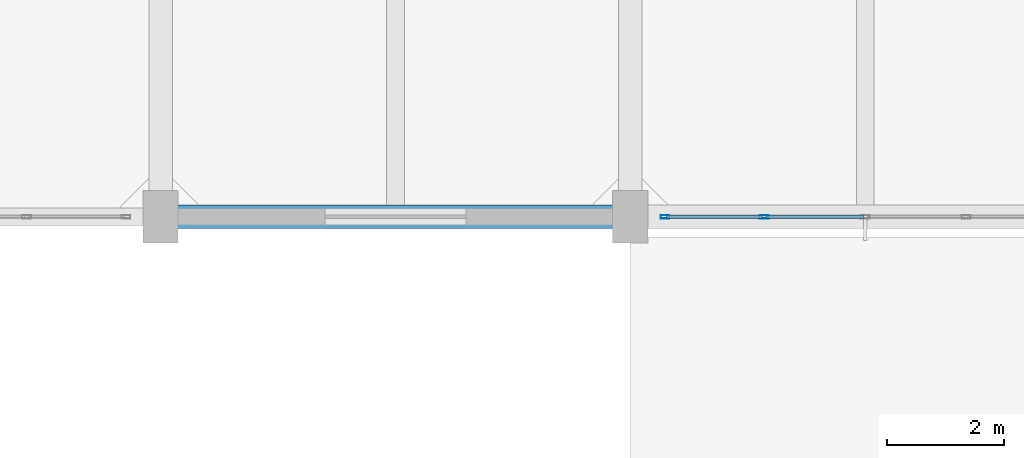
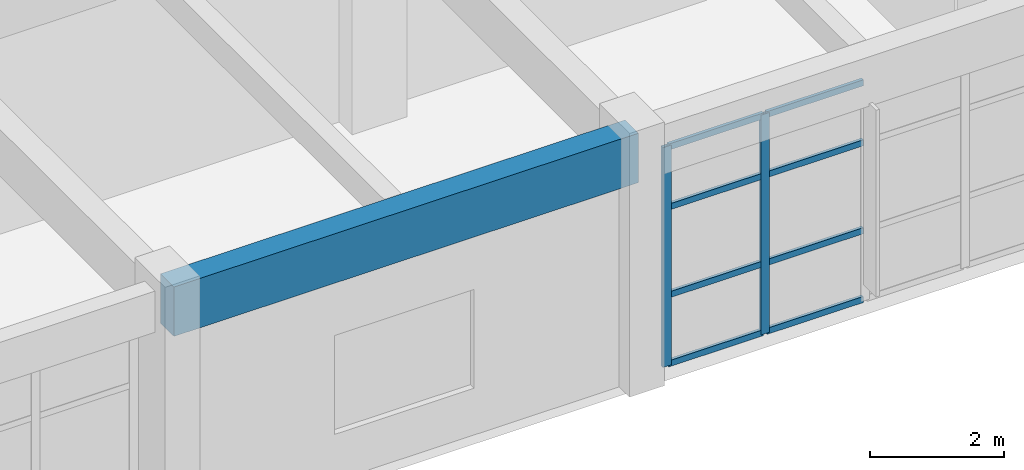
# One storey, part 23 of 63: 10 members, 1 beam, 1 element without a shape of its own.
"""IFC4 building model written with IfcOpenShell, lengths in metres."""

import ifcopenshell
import ifcopenshell.guid

model = None  # the IFC model being written
_history = None  # IfcOwnerHistory: only IFC2X3 demands one
_inside = {}  # id of a spatial element -> (the spatial element, [elements in it])
_under = {}  # id of a project, library or spatial element -> (it, [spatial elements below it])
_declared = {}  # id of a project -> (the project, [libraries it declares])
_typed = {}  # id of a type object -> (the type object, [elements of that type])
_made_of = {}  # id of a material, layer set ... -> (it, [elements and type objects made of it])


def new_model(schema):
    """Start an empty IFC model of exactly this schema.

    Asked for "IFC4X3", IfcOpenShell would pick the latest addendum, in which some entities
    have other attributes; the version numbers below select the first issue.
    IFC2X3 requires an IfcOwnerHistory on every rooted entity: one is made here for all.
    """
    global model, _history
    if schema == "IFC4X3":
        model = ifcopenshell.file(schema_version=(4, 3, 0, 0))
    else:
        model = ifcopenshell.file(schema=schema)
    _inside.clear()
    _under.clear()
    _declared.clear()
    _typed.clear()
    _made_of.clear()
    _history = None
    if model.schema == "IFC2X3":
        org = make("IfcOrganization", Name="unknown")
        user = make(
            "IfcPersonAndOrganization",
            ThePerson=make("IfcPerson", FamilyName="unknown"),
            TheOrganization=org,
        )
        app = make(
            "IfcApplication",
            ApplicationDeveloper=org,
            Version="unknown",
            ApplicationFullName="unknown",
            ApplicationIdentifier="unknown",
        )
        _history = make(
            "IfcOwnerHistory",
            OwningUser=user,
            OwningApplication=app,
            ChangeAction="ADDED",
            CreationDate=0,
        )
    return model


def make(cls, **values):
    """One entity of the class cls with the attributes given. An attribute that is None is left unset."""
    return model.create_entity(
        cls, **{name: value for name, value in values.items() if value is not None}
    )


def rooted(cls, **values):
    """An entity with a GlobalId (a new one), such as an element, a storey or a relation."""
    return make(cls, GlobalId=ifcopenshell.guid.new(), OwnerHistory=_history, **values)


def si_unit(unit_type, name, prefix=None):
    """IfcSIUnit, for example si_unit("LENGTHUNIT", "METRE", prefix="MILLI")."""
    return make("IfcSIUnit", UnitType=unit_type, Prefix=prefix, Name=name)


def assignment(units):
    """IfcUnitAssignment: the units of a project."""
    return None if units is None else make("IfcUnitAssignment", Units=units)


def point(xyz):
    """IfcCartesianPoint."""
    return None if xyz is None else make("IfcCartesianPoint", Coordinates=xyz)


def direction(xyz):
    """IfcDirection."""
    return None if xyz is None else make("IfcDirection", DirectionRatios=xyz)


def frame(location, z_axis=None, x_axis=None):
    """IfcAxis2Placement3D, a coordinate frame: its origin and axes. An axis left out is left unset."""
    return make(
        "IfcAxis2Placement3D",
        Location=point(location),
        Axis=direction(z_axis),
        RefDirection=direction(x_axis),
    )


def frame_2d(location, x_axis=None):
    """IfcAxis2Placement2D, a coordinate frame in the plane: its origin and x axis."""
    return make(
        "IfcAxis2Placement2D", Location=point(location), RefDirection=direction(x_axis)
    )


def origin():
    """The frame at (0, 0, 0) with its axes left unset."""
    return frame((0.0, 0.0, 0.0))


def origin_2d():
    """The frame at (0, 0) in the plane with its x axis left unset."""
    return frame_2d((0.0, 0.0))


def place(relative_to, where):
    """IfcLocalPlacement: puts the frame where relative to a parent placement (None: the world)."""
    return make(
        "IfcLocalPlacement", PlacementRelTo=relative_to, RelativePlacement=where
    )


def context(
    kind, dimensions, precision=None, world=None, true_north=None, identifier=None
):
    """IfcGeometricRepresentationContext, for example the 3D "Model" context."""
    return make(
        "IfcGeometricRepresentationContext",
        ContextIdentifier=identifier,
        ContextType=kind,
        CoordinateSpaceDimension=dimensions,
        Precision=precision,
        WorldCoordinateSystem=world,
        TrueNorth=true_north,
    )


def subcontext(parent, identifier, kind, view, scale=None):
    """IfcGeometricRepresentationSubContext, for example "Body" below "Model"."""
    return make(
        "IfcGeometricRepresentationSubContext",
        ContextIdentifier=identifier,
        ContextType=kind,
        ParentContext=parent,
        TargetScale=scale,
        TargetView=view,
    )


def project(units=None, contexts=None):
    """IfcProject with its units and contexts."""
    return rooted(
        "IfcProject",
        Name="project",
        RepresentationContexts=contexts,
        UnitsInContext=assignment(units),
    )


def spatial(cls, under=None, at=None, **own):
    """A site, building, storey or space (cls), placed at a placement, below another one or the project."""
    s = rooted(cls, ObjectPlacement=at, **own)
    if under is not None:
        _under.setdefault(under.id(), (under, []))[1].append(s)
    return s


def profile(cls, at=None, kind="AREA", **sizes):
    """A parametric profile (cls). Its sizes go by their IFC names, for example OverallWidth=200.0."""
    return make(cls, ProfileType=kind, Position=at, **sizes)


def rectangle(**sizes):
    """IfcRectangleProfileDef."""
    return profile("IfcRectangleProfileDef", **sizes)


def hollow_rectangle(**sizes):
    """IfcRectangleHollowProfileDef."""
    return profile("IfcRectangleHollowProfileDef", **sizes)


def extrude(swept, where, along, depth):
    """IfcExtrudedAreaSolid: the profile swept, set in the frame where, extruded along a direction by depth."""
    return make(
        "IfcExtrudedAreaSolid",
        SweptArea=swept,
        Position=where,
        ExtrudedDirection=direction(along),
        Depth=depth,
    )


def shape(context_of_items, identifier, shape_type, items):
    """IfcShapeRepresentation: the items that make up one representation, for example the "Body"."""
    return make(
        "IfcShapeRepresentation",
        ContextOfItems=context_of_items,
        RepresentationIdentifier=identifier,
        RepresentationType=shape_type,
        Items=items,
    )


def material(Name=None, Category=None):
    """IfcMaterial."""
    return make("IfcMaterial", Name=Name, Category=Category)


def layer(
    of_material, thickness, ventilated=None, Name=None, Category=None, Priority=None
):
    """IfcMaterialLayer: one layer of a wall or slab, of a material (None: an air gap)."""
    return make(
        "IfcMaterialLayer",
        Material=of_material,
        LayerThickness=thickness,
        IsVentilated=ventilated,
        Name=Name,
        Category=Category,
        Priority=Priority,
    )


def layer_set(layers, Name=None):
    """IfcMaterialLayerSet."""
    return make("IfcMaterialLayerSet", MaterialLayers=layers, LayerSetName=Name)


def material_profile(
    of_material, cross_section, Name=None, Category=None, Priority=None
):
    """IfcMaterialProfile: a cross section and its material."""
    return make(
        "IfcMaterialProfile",
        Name=Name,
        Material=of_material,
        Profile=cross_section,
        Priority=Priority,
        Category=Category,
    )


def profile_set(profiles, Name=None, composite=None):
    """IfcMaterialProfileSet."""
    return make(
        "IfcMaterialProfileSet",
        Name=Name,
        MaterialProfiles=profiles,
        CompositeProfile=composite,
    )


def made_of(thing, what):
    """Note that an element or type object is made of a material, layer set ...; save() writes the relation."""
    if what is not None:
        _made_of.setdefault(what.id(), (what, []))[1].append(thing)
    return thing


def type_object(cls, material=None, **own):
    """A type object (cls), such as IfcWallType, which elements share."""
    return made_of(rooted(cls, **own), material)


def element(
    cls,
    number,
    at=None,
    inside=None,
    cuts=None,
    type_object=None,
    material=None,
    context=None,
    identifier="Body",
    shape_type=None,
    held_by="IfcProductDefinitionShape",
    body=None,
    shapes=None,
    **own,
):
    """One element of the class cls, such as IfcWall. Its Tag is "e" and its number.

    at: its placement. inside: the storey or other place that contains it. cuts: it is an
    opening in that element (IfcRelVoidsElement). A single representation is given by context,
    identifier, shape_type and body (its items); several are given by shapes. held_by: the class
    of the entity that holds the representations. save() writes the other relations.
    """
    e = rooted(cls, Tag="e%d" % number, ObjectPlacement=at, **own)
    if body is not None:
        shapes = [shape(context, identifier, shape_type, body)]
    if shapes is not None:
        e.Representation = make(held_by, Representations=shapes)
    if inside is not None:
        _inside.setdefault(inside.id(), (inside, []))[1].append(e)
    if cuts is not None:
        rooted(
            "IfcRelVoidsElement", RelatingBuildingElement=cuts, RelatedOpeningElement=e
        )
    if type_object is not None:
        _typed.setdefault(type_object.id(), (type_object, []))[1].append(e)
    return made_of(e, material)


def aggregate(whole, parts):
    """IfcRelAggregates: a whole, such as a stair, and the parts it consists of."""
    return rooted("IfcRelAggregates", RelatingObject=whole, RelatedObjects=parts)


def save(model, path):
    """Write the relations noted so far, then the file.

    IfcRelAggregates (storeys below a building ...), IfcRelContainedInSpatialStructure (elements
    in a storey), IfcRelDefinesByType, IfcRelAssociatesMaterial and IfcRelDeclares: one each for
    every whole, place, type object, material and project.
    """
    for whole, parts in _under.values():
        aggregate(whole, parts)
    for where, things in _inside.values():
        rooted(
            "IfcRelContainedInSpatialStructure",
            RelatedElements=things,
            RelatingStructure=where,
        )
    for kind, things in _typed.values():
        rooted("IfcRelDefinesByType", RelatedObjects=things, RelatingType=kind)
    for what, things in _made_of.values():
        rooted("IfcRelAssociatesMaterial", RelatedObjects=things, RelatingMaterial=what)
    for by, libraries in _declared.values():
        rooted("IfcRelDeclares", RelatingContext=by, RelatedDefinitions=libraries)
    model.write(path)


model = new_model("IFC4")

# Units and contexts
model_context = context("Model", 3, precision=1e-05, world=origin(), true_north=direction((0.0, 1.0)))
body_context = subcontext(model_context, "Body", "Model", "MODEL_VIEW")
ifc_project = project(units=[si_unit("LENGTHUNIT", "METRE"), si_unit("AREAUNIT", "SQUARE_METRE"), si_unit("VOLUMEUNIT", "CUBIC_METRE"), si_unit("PLANEANGLEUNIT", "RADIAN"), si_unit("MASSUNIT", "GRAM", prefix="KILO")], contexts=[model_context])

# Site, building, storey
site_placement = place(None, origin())
site = spatial("IfcSite", under=ifc_project, at=site_placement, CompositionType="ELEMENT")
building_placement = place(site_placement, origin())
building = spatial("IfcBuilding", under=site, at=building_placement, Name="Canggui Botanical Conservatory", CompositionType="ELEMENT")
storey_placement = place(building_placement, frame((0.0, 0.0, 10.199951171875)))
storey = spatial("IfcBuildingStorey", under=building, at=storey_placement, Name="L03", CompositionType="ELEMENT", Elevation=10.199951171875)

# Beam
ifc_material_1 = material(Name="Concrete C35", Category="concrete")
ifc_material_profile_1 = material_profile(ifc_material_1, rectangle(XDim=0.39990234375, YDim=0.89990234375, at=origin_2d()), Name="RB 400x900")
ifc_profile_set_1 = profile_set([ifc_material_profile_1], Name="Concrete C35")
beam_type = type_object("IfcBeamType", Name="BM-KL07", PredefinedType="BEAM", material=ifc_profile_set_1)
beam_placement = place(storey_placement, frame((146.0, 26.0, 4.10009765625), z_axis=(1.0, 0.0, 0.0), x_axis=(0.0, 1.0, 0.0)))
element("IfcBeam", 1, at=beam_placement, inside=storey, type_object=beam_type, Name="Frame Girder L03 Y26-2", PredefinedType="BEAM", context=body_context, shape_type="SweptSolid", body=[
    extrude(rectangle(XDim=0.39990234375, YDim=0.89990234375, at=origin_2d()), origin(), (0.0, 0.0, 1.0), 8.0),
])

# Curtain wall, members
ifc_material_2 = material(Name="Thermally Broken Aluminium", Category="aluminium")
ifc_layer = layer(ifc_material_2, 0.14990234375, Name="Thermally Broken Aluminium", Category="aluminium")
ifc_layer_set = layer_set([ifc_layer], Name="Thermally Broken Aluminium")
curtain_wall_type = type_object("IfcCurtainWallType", Name="CW-UNIT-C", PredefinedType="USERDEFINED", material=ifc_layer_set)
curtain_wall_placement = place(storey_placement, origin())
curtain_wall = element("IfcCurtainWall", 2, at=curtain_wall_placement, inside=storey, type_object=curtain_wall_type, Name="Facade Curtain Wall CW-TWR-L03-03", ObjectType="UNITISED CURTAIN WALL", PredefinedType="USERDEFINED")
ifc_material_profile_2 = material_profile(ifc_material_2, hollow_rectangle(XDim=0.06005859375, YDim=0.14990234375, WallThickness=0.00341796875, at=origin_2d()), Name="CWM 60x150x3.5")
ifc_profile_set_2 = profile_set([ifc_material_profile_2], Name="Thermally Broken Aluminium")
member_type_1 = type_object("IfcMemberType", Name="CWM-03", PredefinedType="MULLION", material=ifc_profile_set_2)
member_1_placement = place(storey_placement, frame((156.280029296875, 26.0, 0.0), z_axis=(0.0, 0.0, 1.0), x_axis=(0.0, -1.0, 0.0)))
member_1 = element("IfcMember", 3, at=member_1_placement, type_object=member_type_1, Name="CW-03 mullion 4", PredefinedType="MULLION", context=body_context, shape_type="SweptSolid", body=[
    extrude(hollow_rectangle(XDim=0.06005859375, YDim=0.14990234375, WallThickness=0.00341796875, at=origin_2d()), origin(), (0.0, 0.0, 1.0), 4.0),
])
member_2_placement = place(storey_placement, frame((154.590087890625, 26.0, 0.0), z_axis=(0.0, 0.0, 1.0), x_axis=(0.0, -1.0, 0.0)))
member_2 = element("IfcMember", 4, at=member_2_placement, type_object=member_type_1, Name="CW-03 mullion 5", PredefinedType="MULLION", context=body_context, shape_type="SweptSolid", body=[
    extrude(hollow_rectangle(XDim=0.06005859375, YDim=0.14990234375, WallThickness=0.00341796875, at=origin_2d()), origin(), (0.0, 0.0, 1.0), 4.0),
])
ifc_material_profile_3 = material_profile(ifc_material_2, hollow_rectangle(XDim=0.054931640625, YDim=0.110107421875, WallThickness=0.0029296875, at=origin_2d()), Name="CWT 55x110x3")
ifc_profile_set_3 = profile_set([ifc_material_profile_3], Name="Thermally Broken Aluminium")
member_type_2 = type_object("IfcMemberType", Name="CWT-03", PredefinedType="USERDEFINED", material=ifc_profile_set_3)
member_3_placement = place(storey_placement, frame((157.969970703125, 26.0, 0.027587890625), z_axis=(-1.0, 0.0, 0.0), x_axis=(0.0, -1.0, 0.0)))
member_3 = element("IfcMember", 5, at=member_3_placement, type_object=member_type_2, Name="CW-03 transom 3.1", ObjectType="TRANSOM", PredefinedType="USERDEFINED", context=body_context, shape_type="SweptSolid", body=[
    extrude(hollow_rectangle(XDim=0.054931640625, YDim=0.110107421875, WallThickness=0.0029296875, at=origin_2d()), origin(), (0.0, 0.0, 1.0), 1.659912109375),
])
member_4_placement = place(storey_placement, frame((157.969970703125, 26.0, 1.280029296875), z_axis=(-1.0, 0.0, 0.0), x_axis=(0.0, -1.0, 0.0)))
member_4 = element("IfcMember", 6, at=member_4_placement, type_object=member_type_2, Name="CW-03 transom 3.2", ObjectType="TRANSOM", PredefinedType="USERDEFINED", context=body_context, shape_type="SweptSolid", body=[
    extrude(hollow_rectangle(XDim=0.054931640625, YDim=0.110107421875, WallThickness=0.0029296875, at=origin_2d()), origin(), (0.0, 0.0, 1.0), 1.659912109375),
])
member_5_placement = place(storey_placement, frame((157.969970703125, 26.0, 2.880126953125), z_axis=(-1.0, 0.0, 0.0), x_axis=(0.0, -1.0, 0.0)))
member_5 = element("IfcMember", 7, at=member_5_placement, type_object=member_type_2, Name="CW-03 transom 3.3", ObjectType="TRANSOM", PredefinedType="USERDEFINED", context=body_context, shape_type="SweptSolid", body=[
    extrude(hollow_rectangle(XDim=0.054931640625, YDim=0.110107421875, WallThickness=0.0029296875, at=origin_2d()), origin(), (0.0, 0.0, 1.0), 1.659912109375),
])
member_6_placement = place(storey_placement, frame((157.969970703125, 26.0, 3.97265625), z_axis=(-1.0, 0.0, 0.0), x_axis=(0.0, -1.0, 0.0)))
member_6 = element("IfcMember", 8, at=member_6_placement, type_object=member_type_2, Name="CW-03 transom 3.4", ObjectType="TRANSOM", PredefinedType="USERDEFINED", context=body_context, shape_type="SweptSolid", body=[
    extrude(hollow_rectangle(XDim=0.054931640625, YDim=0.110107421875, WallThickness=0.0029296875, at=origin_2d()), origin(), (0.0, 0.0, 1.0), 1.659912109375),
])
member_7_placement = place(storey_placement, frame((156.25, 26.0, 0.027587890625), z_axis=(-1.0, 0.0, 0.0), x_axis=(0.0, -1.0, 0.0)))
member_7 = element("IfcMember", 9, at=member_7_placement, type_object=member_type_2, Name="CW-03 transom 4.1", ObjectType="TRANSOM", PredefinedType="USERDEFINED", context=body_context, shape_type="SweptSolid", body=[
    extrude(hollow_rectangle(XDim=0.054931640625, YDim=0.110107421875, WallThickness=0.0029296875, at=origin_2d()), origin(), (0.0, 0.0, 1.0), 1.6298828125),
])
member_8_placement = place(storey_placement, frame((156.25, 26.0, 1.280029296875), z_axis=(-1.0, 0.0, 0.0), x_axis=(0.0, -1.0, 0.0)))
member_8 = element("IfcMember", 10, at=member_8_placement, type_object=member_type_2, Name="CW-03 transom 4.2", ObjectType="TRANSOM", PredefinedType="USERDEFINED", context=body_context, shape_type="SweptSolid", body=[
    extrude(hollow_rectangle(XDim=0.054931640625, YDim=0.110107421875, WallThickness=0.0029296875, at=origin_2d()), origin(), (0.0, 0.0, 1.0), 1.6298828125),
])
member_9_placement = place(storey_placement, frame((156.25, 26.0, 2.880126953125), z_axis=(-1.0, 0.0, 0.0), x_axis=(0.0, -1.0, 0.0)))
member_9 = element("IfcMember", 11, at=member_9_placement, type_object=member_type_2, Name="CW-03 transom 4.3", ObjectType="TRANSOM", PredefinedType="USERDEFINED", context=body_context, shape_type="SweptSolid", body=[
    extrude(hollow_rectangle(XDim=0.054931640625, YDim=0.110107421875, WallThickness=0.0029296875, at=origin_2d()), origin(), (0.0, 0.0, 1.0), 1.6298828125),
])
member_10_placement = place(storey_placement, frame((156.25, 26.0, 3.97265625), z_axis=(-1.0, 0.0, 0.0), x_axis=(0.0, -1.0, 0.0)))
member_10 = element("IfcMember", 12, at=member_10_placement, type_object=member_type_2, Name="CW-03 transom 4.4", ObjectType="TRANSOM", PredefinedType="USERDEFINED", context=body_context, shape_type="SweptSolid", body=[
    extrude(hollow_rectangle(XDim=0.054931640625, YDim=0.110107421875, WallThickness=0.0029296875, at=origin_2d()), origin(), (0.0, 0.0, 1.0), 1.6298828125),
])
aggregate(curtain_wall, [member_1, member_2, member_3, member_4, member_5, member_6, member_7, member_8, member_9, member_10])

save(model, "model.ifc")
